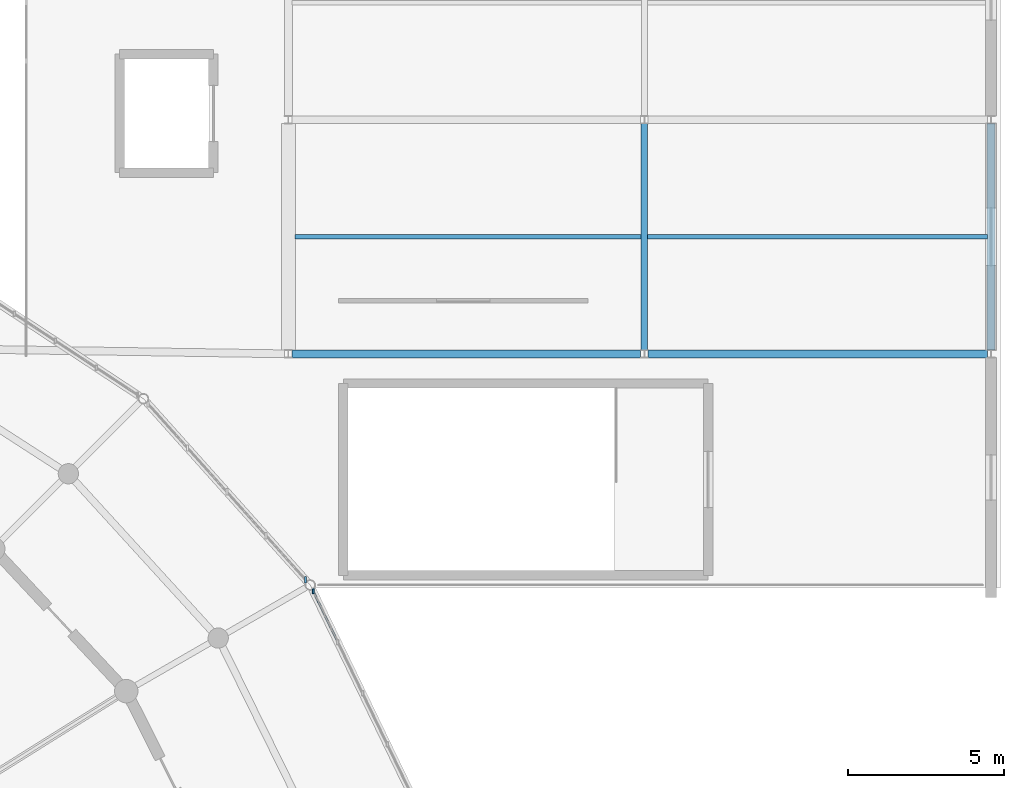
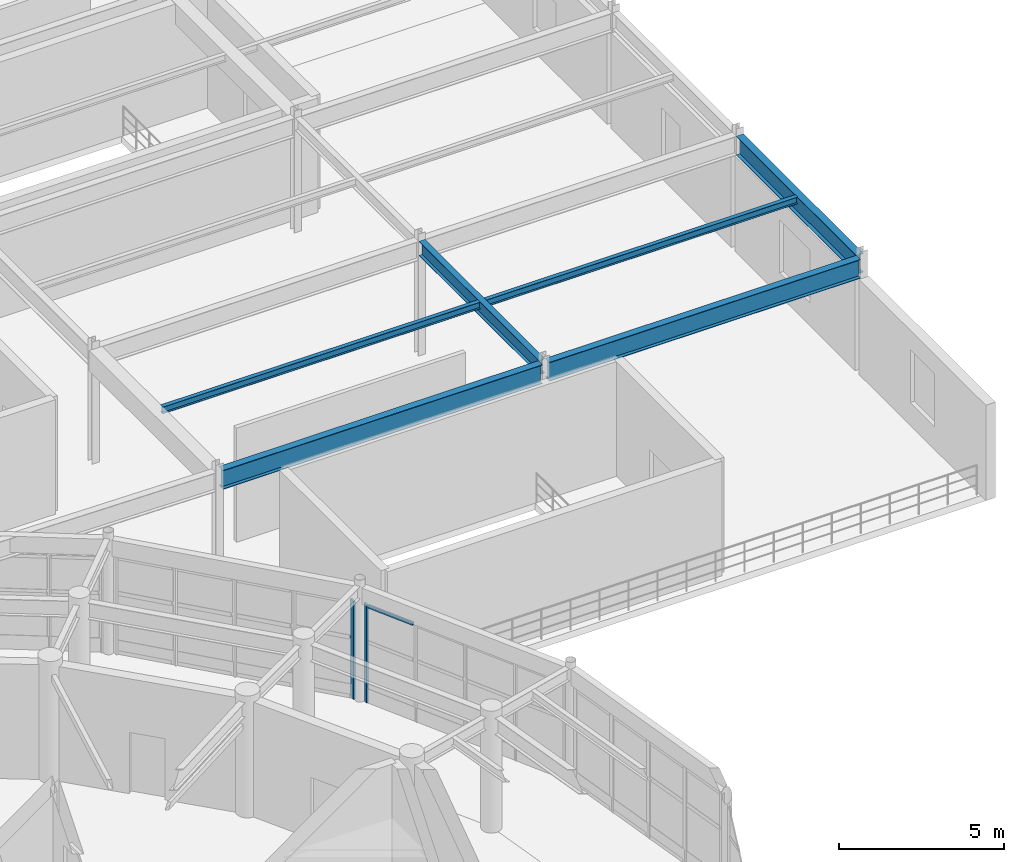
# One storey, part 63 of 112: 6 beams, 3 members, 2 elements without a shape of their own.
"""IFC4 building model written with IfcOpenShell, lengths in metres."""

from ifc_helpers import new_model, si_unit, direction, frame, origin, origin_2d, place, context, subcontext, project, spatial, rectangle, i_section, extrude, material, material_profile, profile_set, type_object, element, aggregate, save


model = new_model("IFC4")

# Units and contexts
model_context = context("Model", 3, precision=1e-05, world=origin(), true_north=direction((0.0, 1.0)))
body_context = subcontext(model_context, "Body", "Model", "MODEL_VIEW")
ifc_project = project(units=[si_unit("LENGTHUNIT", "METRE"), si_unit("AREAUNIT", "SQUARE_METRE"), si_unit("VOLUMEUNIT", "CUBIC_METRE"), si_unit("PLANEANGLEUNIT", "RADIAN"), si_unit("MASSUNIT", "GRAM", prefix="KILO")], contexts=[model_context])

# Site, building, storey
site_placement = place(None, origin())
site = spatial("IfcSite", under=ifc_project, at=site_placement, CompositionType="ELEMENT")
building_placement = place(site_placement, origin())
building = spatial("IfcBuilding", under=site, at=building_placement, Name="Cinderbank Siding Concert Hall", CompositionType="ELEMENT")
storey_placement = place(building_placement, frame((0.0, 0.0, 10.199951171875)))
storey = spatial("IfcBuildingStorey", under=building, at=storey_placement, Name="L03", CompositionType="ELEMENT", Elevation=10.199951171875)

# Beams
ifc_material_1 = material(Name="Structural steel AS/NZS 3679.1 Grade 350 (340 MPa)", Category="steel")
ifc_material_profile_1 = material_profile(ifc_material_1, i_section(OverallWidth=0.208984375, OverallDepth=0.5283203125, WebThickness=0.009521484375, FlangeThickness=0.01318359375, at=origin_2d()), Name="530UB82.0", Category="LoadBearing")
ifc_profile_set_1 = profile_set([ifc_material_profile_1], Name="Structural steel AS/NZS 3679.1 Grade 350 (340 MPa)")
beam_type_1 = type_object("IfcBeamType", Name="BM-UB530 530UB82.0", PredefinedType="BEAM", material=ifc_profile_set_1)
beam_1_placement = place(storey_placement, frame((161.800048828125, 65.9189453125, 3.968017578125), z_axis=(0.0, 1.0, 0.0), x_axis=(-1.0, 0.0, 0.0)))
element("IfcBeam", 1, at=beam_1_placement, inside=storey, type_object=beam_type_1, Name="L03 Beam BM-UB530 #1793", PredefinedType="BEAM", context=body_context, shape_type="SweptSolid", body=[
    extrude(i_section(OverallWidth=0.208984375, OverallDepth=0.5283203125, WebThickness=0.009521484375, FlangeThickness=0.01318359375, at=origin_2d()), origin(), (0.0, 0.0, 1.0), 7.261962890625),
])
ifc_material_2 = material(Name="Structural steel welded plate section AS/NZS 3679.2 / AS/NZS 3678 Grade 350 (340 MPa)", Category="steel")
ifc_material_profile_2 = material_profile(ifc_material_2, i_section(OverallWidth=0.25, OverallDepth=0.699951171875, WebThickness=0.010009765625, FlangeThickness=0.01611328125, at=origin_2d()), Name="700WB130", Category="LoadBearing")
ifc_profile_set_2 = profile_set([ifc_material_profile_2], Name="Structural steel welded plate section AS/NZS 3679.2 / AS/NZS 3678 Grade 350 (340 MPa)")
beam_type_2 = type_object("IfcBeamType", Name="BM-WB700 700WB130", PredefinedType="BEAM", material=ifc_profile_set_2)
beam_2_placement = place(storey_placement, frame((150.51904296875, 65.800048828125, 3.882080078125), z_axis=(1.0, 0.0, 0.0), x_axis=(0.0, 1.0, 0.0)))
element("IfcBeam", 2, at=beam_2_placement, inside=storey, type_object=beam_type_2, Name="L03 Beam BM-WB700 #1786", PredefinedType="BEAM", context=body_context, shape_type="SweptSolid", body=[
    extrude(i_section(OverallWidth=0.25, OverallDepth=0.699951171875, WebThickness=0.010009765625, FlangeThickness=0.01611328125, at=origin_2d()), origin(), (0.0, 0.0, 1.0), 11.161865234375),
])
beam_3_placement = place(storey_placement, frame((161.9189453125, 65.800048828125, 3.882080078125), z_axis=(1.0, 0.0, 0.0), x_axis=(0.0, 1.0, 0.0)))
element("IfcBeam", 3, at=beam_3_placement, inside=storey, type_object=beam_type_2, Name="L03 Beam BM-WB700 #1792", PredefinedType="BEAM", context=body_context, shape_type="SweptSolid", body=[
    extrude(i_section(OverallWidth=0.25, OverallDepth=0.699951171875, WebThickness=0.010009765625, FlangeThickness=0.01611328125, at=origin_2d()), origin(), (0.0, 0.0, 1.0), 10.862060546875),
])
beam_4_placement = place(storey_placement, frame((172.89990234375, 65.9189453125, 3.882080078125), z_axis=(0.0, 1.0, 0.0), x_axis=(-1.0, 0.0, 0.0)))
element("IfcBeam", 4, at=beam_4_placement, inside=storey, type_object=beam_type_2, Name="L03 Beam BM-WB700 #1798", PredefinedType="BEAM", context=body_context, shape_type="SweptSolid", body=[
    extrude(i_section(OverallWidth=0.25, OverallDepth=0.699951171875, WebThickness=0.010009765625, FlangeThickness=0.01611328125, at=origin_2d()), origin(), (0.0, 0.0, 1.0), 7.261962890625),
])

# Curtain wall, member
ifc_material_3 = material(Name="Anodised aluminium alloy 6063-T6", Category="aluminium")
curtain_wall_type_1 = type_object("IfcCurtainWallType", Name="CW-02 Unitised Acoustic Curtain Wall 7800x4400", PredefinedType="NOTDEFINED", material=ifc_material_3)
curtain_wall_1_placement = place(storey_placement, origin())
curtain_wall_1 = element("IfcCurtainWall", 5, at=curtain_wall_1_placement, inside=storey, type_object=curtain_wall_type_1, Name="L03 Curtain Wall CW-02 #26", PredefinedType="NOTDEFINED")
ifc_material_profile_3 = material_profile(ifc_material_3, rectangle(XDim=0.06005859375, YDim=0.159912109375, at=origin_2d()), Name="ALU-MULL-60x160", Category="LoadBearing")
ifc_profile_set_3 = profile_set([ifc_material_profile_3], Name="Anodised aluminium alloy 6063-T6")
member_type_1 = type_object("IfcMemberType", Name="CW-ML1 Mullion 60x160", PredefinedType="MULLION", material=ifc_profile_set_3)
member_1_placement = place(storey_placement, frame((151.197265625, 58.19580078125, 0.0), z_axis=(0.0, 0.0, 1.0), x_axis=(1.0, 0.0, 0.0)))
member_1 = element("IfcMember", 6, at=member_1_placement, type_object=member_type_1, Name="CW-L03-026 Mullion 4", PredefinedType="MULLION", context=body_context, shape_type="SweptSolid", body=[
    extrude(rectangle(XDim=0.06005859375, YDim=0.159912109375, at=origin_2d()), origin(), (0.0, 0.0, 1.0), 3.616943359375),
])

curtain_wall_type_2 = type_object("IfcCurtainWallType", Name="CW-03 Unitised Acoustic Curtain Wall 7400x4400", PredefinedType="NOTDEFINED", material=ifc_material_3)
curtain_wall_2_placement = place(storey_placement, origin())
curtain_wall_2 = element("IfcCurtainWall", 7, at=curtain_wall_2_placement, inside=storey, type_object=curtain_wall_type_2, Name="L03 Curtain Wall CW-03 #27", PredefinedType="NOTDEFINED")
ifc_material_profile_4 = material_profile(ifc_material_3, rectangle(XDim=0.06494140625, YDim=0.199951171875, at=origin_2d()), Name="ALU-MULL-65x200", Category="LoadBearing")
ifc_profile_set_4 = profile_set([ifc_material_profile_4], Name="Anodised aluminium alloy 6063-T6")
member_type_2 = type_object("IfcMemberType", Name="CW-ML2 Mullion 65x200", PredefinedType="MULLION", material=ifc_profile_set_4)
member_2_placement = place(storey_placement, frame((150.947021484375, 58.569091796875, 0.0), z_axis=(0.0, 0.0, 1.0), x_axis=(1.0, 0.0, 0.0)))
member_2 = element("IfcMember", 8, at=member_2_placement, type_object=member_type_2, Name="CW-L03-027 Mullion 0", PredefinedType="MULLION", context=body_context, shape_type="SweptSolid", body=[
    extrude(rectangle(XDim=0.06494140625, YDim=0.199951171875, at=origin_2d()), origin(), (0.0, 0.0, 1.0), 3.616943359375),
])
aggregate(curtain_wall_2, [member_2])

# Member
ifc_material_profile_5 = material_profile(ifc_material_3, rectangle(XDim=0.06005859375, YDim=0.1201171875, at=origin_2d()), Name="ALU-TRAN-60x120", Category="LoadBearing")
ifc_profile_set_5 = profile_set([ifc_material_profile_5], Name="Anodised aluminium alloy 6063-T6")
member_type_3 = type_object("IfcMemberType", Name="CW-TR1 Transom 60x120", PredefinedType="USERDEFINED", material=ifc_profile_set_5)
member_3_placement = place(storey_placement, frame((151.947509765625, 56.64306640625, 3.55712890625), z_axis=(-0.435037415308, 0.900412376238, 0.0), x_axis=(-0.900412376238, -0.435037415308, 0.0)))
member_3 = element("IfcMember", 9, at=member_3_placement, type_object=member_type_3, Name="CW-L03-026 Transom 3-2", ObjectType="TRANSOM", PredefinedType="USERDEFINED", context=body_context, shape_type="SweptSolid", body=[
    extrude(rectangle(XDim=0.06005859375, YDim=0.1201171875, at=origin_2d()), origin(), (0.0, 0.0, 1.0), 1.633544921875),
])

aggregate(curtain_wall_1, [member_1, member_3])

# Beams
ifc_material_profile_6 = material_profile(ifc_material_1, i_section(OverallWidth=0.14599609375, OverallDepth=0.251708984375, WebThickness=0.006103515625, FlangeThickness=0.008544921875, at=origin_2d()), Name="250UB31.4", Category="LoadBearing")
ifc_profile_set_6 = profile_set([ifc_material_profile_6], Name="Structural steel AS/NZS 3679.1 Grade 350 (340 MPa)")
beam_type_3 = type_object("IfcBeamType", Name="JS-UB250 250UB31.4", PredefinedType="JOIST", material=ifc_profile_set_6)
beam_5_placement = place(storey_placement, frame((150.616943359375, 69.550048828125, 4.106201171875), z_axis=(1.0, 0.0, 0.0), x_axis=(0.0, 1.0, 0.0)))
element("IfcBeam", 10, at=beam_5_placement, inside=storey, type_object=beam_type_3, Name="L03 Beam JS-UB250 #1839", PredefinedType="JOIST", context=body_context, shape_type="SweptSolid", body=[
    extrude(i_section(OverallWidth=0.14599609375, OverallDepth=0.251708984375, WebThickness=0.006103515625, FlangeThickness=0.008544921875, at=origin_2d()), origin(), (0.0, 0.0, 1.0), 11.086669921875),
])
beam_6_placement = place(storey_placement, frame((161.896484375, 69.550048828125, 4.106201171875), z_axis=(1.0, 0.0, 0.0), x_axis=(0.0, 1.0, 0.0)))
element("IfcBeam", 11, at=beam_6_placement, inside=storey, type_object=beam_type_3, Name="L03 Beam JS-UB250 #1842", PredefinedType="JOIST", context=body_context, shape_type="SweptSolid", body=[
    extrude(i_section(OverallWidth=0.14599609375, OverallDepth=0.251708984375, WebThickness=0.006103515625, FlangeThickness=0.008544921875, at=origin_2d()), origin(), (0.0, 0.0, 1.0), 10.886474609375),
])

save(model, "model.ifc")
